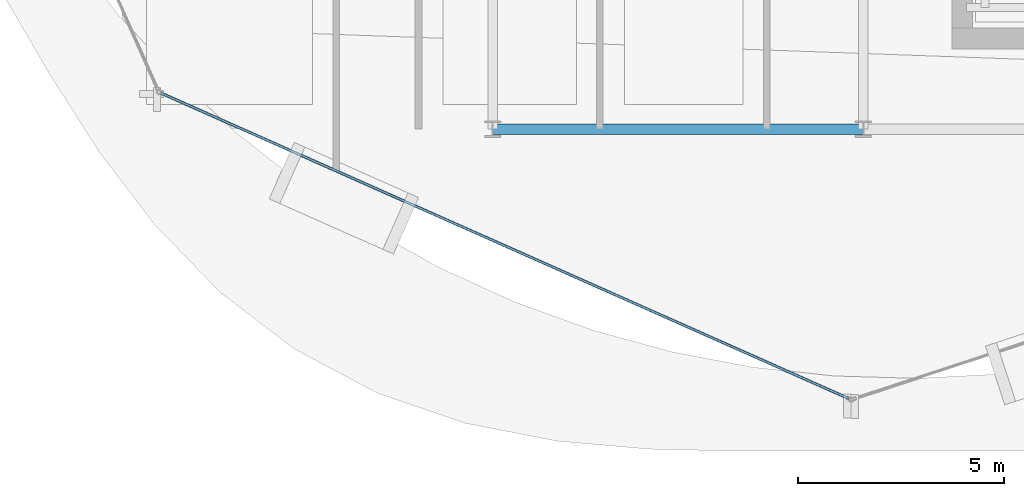
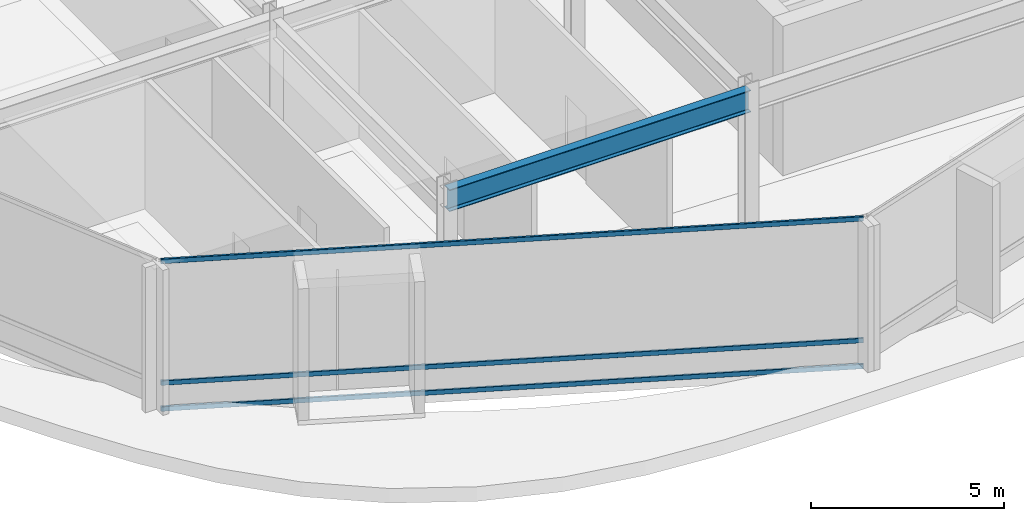
# One storey, part 3 of 28: 3 members, 1 beam, 1 element without a shape of its own.
"""IFC4 building model written with IfcOpenShell, lengths in metres."""

from ifc_helpers import new_model, si_unit, direction, frame, origin, origin_2d, place, context, subcontext, project, spatial, hollow_rectangle, i_section, extrude, material, layer, layer_set, material_profile, profile_set, type_object, element, aggregate, save


model = new_model("IFC4")

# Units and contexts
model_context = context("Model", 3, precision=1e-05, world=origin(), true_north=direction((0.0, 1.0)))
body_context = subcontext(model_context, "Body", "Model", "MODEL_VIEW")
ifc_project = project(units=[si_unit("LENGTHUNIT", "METRE"), si_unit("AREAUNIT", "SQUARE_METRE"), si_unit("VOLUMEUNIT", "CUBIC_METRE"), si_unit("PLANEANGLEUNIT", "RADIAN"), si_unit("MASSUNIT", "GRAM", prefix="KILO")], contexts=[model_context])

# Site, building, storey
site_placement = place(None, origin())
site = spatial("IfcSite", under=ifc_project, at=site_placement, CompositionType="ELEMENT")
building_placement = place(site_placement, origin())
building = spatial("IfcBuilding", under=site, at=building_placement, Name="Solvaryn Broadcast Tower", CompositionType="ELEMENT")
storey_placement = place(building_placement, frame((0.0, 0.0, 201.199951171875)))
storey = spatial("IfcBuildingStorey", under=building, at=storey_placement, Name="L50", CompositionType="ELEMENT", Elevation=201.199951171875)

# Beam
ifc_material_1 = material(Name="Steel ASTM A992 Grade 50", Category="steel")
ifc_material_profile_1 = material_profile(ifc_material_1, i_section(OverallWidth=0.256103515625, OverallDepth=0.693115234375, WebThickness=0.014404296875, FlangeThickness=0.023681640625, FilletRadius=0.01611328125, at=origin_2d()))
ifc_profile_set_1 = profile_set([ifc_material_profile_1], Name="Steel ASTM A992 Grade 50")
beam_type = type_object("IfcBeamType", Name="BM-SP3-W27X114", PredefinedType="USERDEFINED", material=ifc_profile_set_1)
beam_placement = place(storey_placement, frame((18.0, 9.0, 4.37353515625), z_axis=(1.0, 0.0, 0.0), x_axis=(0.0, 1.0, 0.0)))
element("IfcBeam", 1, at=beam_placement, inside=storey, type_object=beam_type, Name="L50 Spandrel Beam X (18-27 @ Y=9)", ObjectType="SPANDREL", PredefinedType="USERDEFINED", context=body_context, shape_type="SweptSolid", body=[
    extrude(i_section(OverallWidth=0.256103515625, OverallDepth=0.693115234375, WebThickness=0.014404296875, FlangeThickness=0.023681640625, FilletRadius=0.01611328125, at=origin_2d()), origin(), (0.0, 0.0, 1.0), 9.0),
])

# Curtain wall, members
ifc_material_2 = material(Name="Aluminium and Terracotta Unitised Curtain Wall", Category="masonry")
ifc_layer = layer(ifc_material_2, 0.199951171875)
ifc_layer_set = layer_set([ifc_layer], Name="CW-SYS2-LOWMID")
curtain_wall_type = type_object("IfcCurtainWallType", Name="CW-SYS2-LOWMID", PredefinedType="NOTDEFINED", material=ifc_layer_set)
curtain_wall_placement = place(storey_placement, origin())
curtain_wall = element("IfcCurtainWall", 2, at=curtain_wall_placement, inside=storey, type_object=curtain_wall_type, Name="L50 Curtain Wall DR3", PredefinedType="NOTDEFINED")
ifc_material_3 = material(Name="Anodised Aluminium 6063-T6", Category="aluminium")
ifc_material_profile_2 = material_profile(ifc_material_3, hollow_rectangle(XDim=0.06494140625, YDim=0.14990234375, WallThickness=0.00390625, InnerFilletRadius=0.00390625, OuterFilletRadius=0.008056640625, at=origin_2d()))
ifc_profile_set_2 = profile_set([ifc_material_profile_2], Name="Anodised Aluminium 6063-T6")
member_type = type_object("IfcMemberType", Name="CW-TRN-150", PredefinedType="USERDEFINED", material=ifc_profile_set_2)
member_1_placement = place(storey_placement, frame((9.952880859375, 9.87353515625, 0.030029296875), z_axis=(0.913916761992, -0.405901653299, 0.0), x_axis=(0.405901653299, 0.913916761992, 0.0)))
member_1 = element("IfcMember", 3, at=member_1_placement, type_object=member_type, Name="CWS2 transom 1.1", ObjectType="TRANSOM", PredefinedType="USERDEFINED", context=body_context, shape_type="SweptSolid", body=[
    extrude(hollow_rectangle(XDim=0.06494140625, YDim=0.14990234375, WallThickness=0.00390625, InnerFilletRadius=0.00390625, OuterFilletRadius=0.008056640625, at=origin_2d()), origin(), (0.0, 0.0, 1.0), 18.27099609375),
])
member_2_placement = place(storey_placement, frame((9.952880859375, 9.87353515625, 0.85009765625), z_axis=(0.913916761992, -0.405901653299, 0.0), x_axis=(0.405901653299, 0.913916761992, 0.0)))
member_2 = element("IfcMember", 4, at=member_2_placement, type_object=member_type, Name="CWS2 transom 1.2", ObjectType="TRANSOM", PredefinedType="USERDEFINED", context=body_context, shape_type="SweptSolid", body=[
    extrude(hollow_rectangle(XDim=0.06494140625, YDim=0.14990234375, WallThickness=0.00390625, InnerFilletRadius=0.00390625, OuterFilletRadius=0.008056640625, at=origin_2d()), origin(), (0.0, 0.0, 1.0), 18.27099609375),
])
member_3_placement = place(storey_placement, frame((9.952880859375, 9.87353515625, 4.68994140625), z_axis=(0.913916761992, -0.405901653299, 0.0), x_axis=(0.405901653299, 0.913916761992, 0.0)))
member_3 = element("IfcMember", 5, at=member_3_placement, type_object=member_type, Name="CWS2 transom 1.3", ObjectType="TRANSOM", PredefinedType="USERDEFINED", context=body_context, shape_type="SweptSolid", body=[
    extrude(hollow_rectangle(XDim=0.06494140625, YDim=0.14990234375, WallThickness=0.00390625, InnerFilletRadius=0.00390625, OuterFilletRadius=0.008056640625, at=origin_2d()), origin(), (0.0, 0.0, 1.0), 18.27099609375),
])
aggregate(curtain_wall, [member_1, member_2, member_3])

save(model, "model.ifc")
